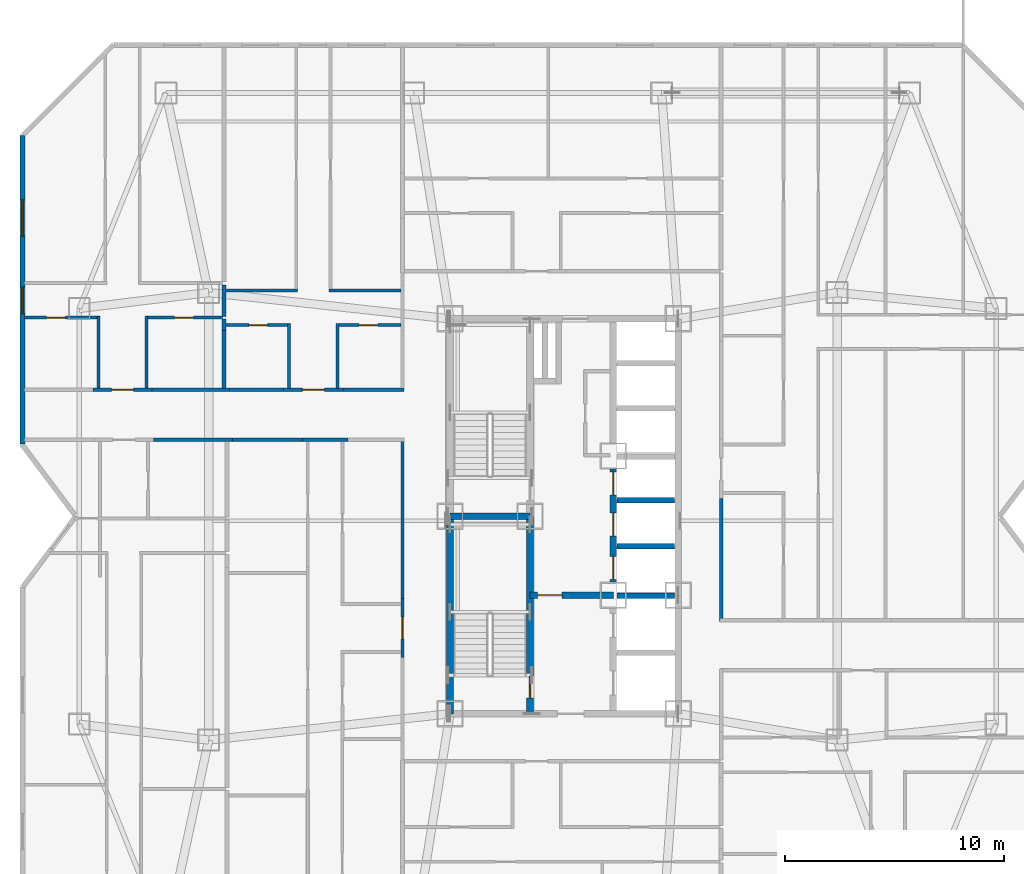
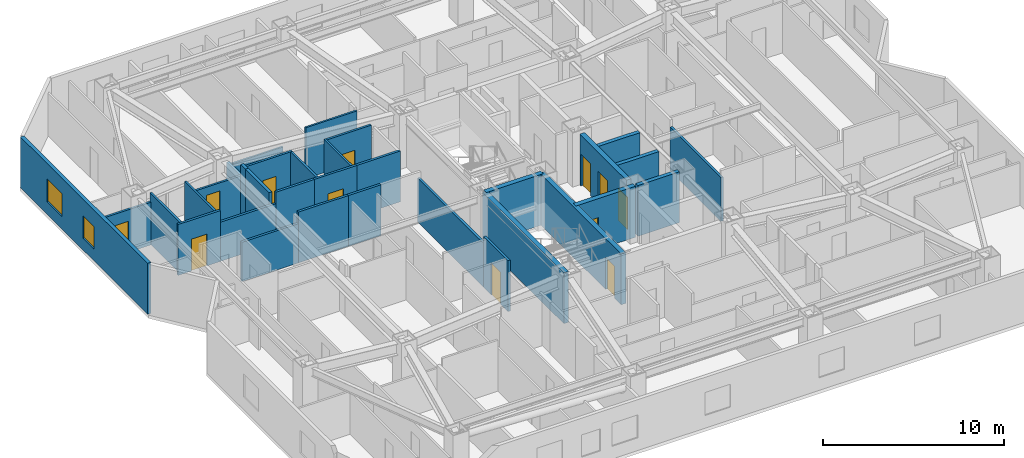
# One storey, part 7 of 11: 33 walls, 12 doors, 2 windows, 14 openings.
"""IFC4 building model written with IfcOpenShell, lengths in metres."""

from ifc_helpers import new_model, si_unit, direction, frame, frame_2d, origin, place, context, subcontext, project, spatial, rectangle, extrude, material, layer, layer_set, type_object, element, fill, save


model = new_model("IFC4")

# Units and contexts
model_context = context("Model", 3, precision=1e-05, world=origin(), true_north=direction((0.0, 1.0)))
body_context = subcontext(model_context, "Body", "Model", "MODEL_VIEW")
ifc_project = project(units=[si_unit("LENGTHUNIT", "METRE"), si_unit("AREAUNIT", "SQUARE_METRE"), si_unit("VOLUMEUNIT", "CUBIC_METRE"), si_unit("PLANEANGLEUNIT", "RADIAN"), si_unit("MASSUNIT", "GRAM", prefix="KILO")], contexts=[model_context])

# Site, building, storey
site_placement = place(None, origin())
site = spatial("IfcSite", under=ifc_project, at=site_placement, CompositionType="ELEMENT")
building_placement = place(site_placement, origin())
building = spatial("IfcBuilding", under=site, at=building_placement, Name="Khamvora Tower", CompositionType="ELEMENT")
storey_placement = place(building_placement, frame((0.0, 0.0, 116.5)))
storey = spatial("IfcBuildingStorey", under=building, at=storey_placement, Name="L29", CompositionType="ELEMENT", Elevation=116.5)

# Wall
ifc_material_1 = material(Name="Concrete C50/60", Category="concrete")
ifc_layer_1 = layer(ifc_material_1, 0.300048828125)
ifc_layer_set_1 = layer_set([ifc_layer_1], Name="Concrete C50/60")
wall_type_1 = type_object("IfcWallType", Name="WAL-CORE-300", PredefinedType="SHEAR", material=ifc_layer_set_1)
wall_1_placement = place(storey_placement, frame((29.0, 19.0, 0.0), z_axis=(0.0, 0.0, 1.0), x_axis=(0.0, 1.0, 0.0)))
element("IfcWall", 1, at=wall_1_placement, inside=storey, type_object=wall_type_1, Name="L29 central core west south wall", PredefinedType="SHEAR", context=body_context, shape_type="SweptSolid", body=[
    extrude(rectangle(XDim=9.0, YDim=0.300048828125, at=frame_2d((4.5, 0.0))), origin(), (0.0, 0.0, 1.0), 3.429931640625),
])

# Wall, opening, door
wall_2_placement = place(storey_placement, frame((32.64990234375, 19.0, 0.0), z_axis=(0.0, 0.0, 1.0), x_axis=(0.0, 1.0, 0.0)))
wall_2 = element("IfcWall", 2, at=wall_2_placement, inside=storey, type_object=wall_type_1, Name="L29 central core stair south spine wall", PredefinedType="SHEAR", context=body_context, shape_type="SweptSolid", body=[
    extrude(rectangle(XDim=9.0, YDim=0.300048828125, at=frame_2d((4.5, 0.0))), origin(), (0.0, 0.0, 1.0), 3.429931640625),
])
opening_1_placement = place(wall_2_placement, frame((0.719970703125, 0.0, 0.0)))
opening_1 = element("IfcOpeningElement", 3, at=opening_1_placement, cuts=wall_2, Name="Opening D-ST1", PredefinedType="OPENING", context=body_context, shape_type="SweptSolid", body=[
    extrude(rectangle(XDim=1.0, YDim=2.14990234375, at=frame_2d((0.5, 1.074951171875))), frame((0.0, 0.159912109375, 0.0), z_axis=(0.0, -1.0, 0.0), x_axis=(1.0, 0.0, 0.0)), (0.0, 0.0, 1.0), 0.320068359375),
])
ifc_material_2 = material(Name="Powder-Coated Steel and Hardwood Leaf", Category="steel")
door_type_1 = type_object("IfcDoorType", Name="DOR-STAIR-1000", OperationType="NOTDEFINED", PredefinedType="DOOR", material=ifc_material_2)
door_1_placement = place(opening_1_placement, origin())
door_1 = element("IfcDoor", 4, at=door_1_placement, inside=storey, type_object=door_type_1, Name="L29 exit stair ST-01 fire door", OperationType="SINGLE_SWING_RIGHT", OverallHeight=2.14990234375, OverallWidth=1.0, PredefinedType="DOOR", context=body_context, shape_type="SweptSolid", body=[
    extrude(rectangle(XDim=1.0, YDim=2.14990234375, at=frame_2d((0.5, 1.074951171875))), frame((0.0, 0.02490234375, 0.0), z_axis=(0.0, -1.0, 0.0), x_axis=(1.0, 0.0, 0.0)), (0.0, 0.0, 1.0), 0.050048828125),
])
fill(opening_1, door_1)

# Wall
wall_3_placement = place(storey_placement, frame((29.0, 28.0, 0.0), z_axis=(0.0, 0.0, 1.0), x_axis=(1.0, 0.0, 0.0)))
element("IfcWall", 5, at=wall_3_placement, inside=storey, type_object=wall_type_1, Name="L29 central core stair cross wall", PredefinedType="SHEAR", context=body_context, shape_type="SweptSolid", body=[
    extrude(rectangle(XDim=3.64990234375, YDim=0.300048828125, at=frame_2d((1.824951171875, 0.0))), origin(), (0.0, 0.0, 1.0), 3.429931640625),
])

# Wall, opening, door
wall_4_placement = place(storey_placement, frame((32.64990234375, 24.39990234375, 0.0), z_axis=(0.0, 0.0, 1.0), x_axis=(1.0, 0.0, 0.0)))
wall_4 = element("IfcWall", 6, at=wall_4_placement, inside=storey, type_object=wall_type_1, Name="L29 central core firefighting lobby north wall", PredefinedType="SHEAR", context=body_context, shape_type="SweptSolid", body=[
    extrude(rectangle(XDim=3.800048828125, YDim=0.300048828125, at=frame_2d((1.89990234375, 0.0))), origin(), (0.0, 0.0, 1.0), 3.429931640625),
])
opening_2_placement = place(wall_4_placement, frame((0.35009765625, 0.0, 0.0)))
opening_2 = element("IfcOpeningElement", 7, at=opening_2_placement, cuts=wall_4, Name="Opening D-FF1", PredefinedType="OPENING", context=body_context, shape_type="SweptSolid", body=[
    extrude(rectangle(XDim=1.10009765625, YDim=2.14990234375, at=frame_2d((0.550048828125, 1.074951171875))), frame((0.0, 0.159912109375, 0.0), z_axis=(0.0, -1.0, 0.0), x_axis=(1.0, 0.0, 0.0)), (0.0, 0.0, 1.0), 0.320068359375),
])
door_type_2 = type_object("IfcDoorType", Name="DOR-FFLOB-1100", OperationType="NOTDEFINED", PredefinedType="DOOR", material=ifc_material_2)
door_2_placement = place(opening_2_placement, origin())
door_2 = element("IfcDoor", 8, at=door_2_placement, inside=storey, type_object=door_type_2, Name="L29 firefighting lobby smoke-seal fire door", OperationType="SINGLE_SWING_RIGHT", OverallHeight=2.14990234375, OverallWidth=1.10009765625, PredefinedType="DOOR", context=body_context, shape_type="SweptSolid", body=[
    extrude(rectangle(XDim=1.10009765625, YDim=2.14990234375, at=frame_2d((0.550048828125, 1.074951171875))), frame((0.0, 0.02490234375, 0.0), z_axis=(0.0, -1.0, 0.0), x_axis=(1.0, 0.0, 0.0)), (0.0, 0.0, 1.0), 0.050048828125),
])
fill(opening_2, door_2)

# Wall, openings, doors
wall_5_placement = place(storey_placement, frame((36.449951171875, 25.0, 0.0), z_axis=(0.0, 0.0, 1.0), x_axis=(0.0, 1.0, 0.0)))
wall_5 = element("IfcWall", 9, at=wall_5_placement, inside=storey, type_object=wall_type_1, Name="L29 central core lift bank central wall", PredefinedType="SHEAR", context=body_context, shape_type="SweptSolid", body=[
    extrude(rectangle(XDim=5.14990234375, YDim=0.300048828125, at=frame_2d((2.574951171875, 0.0))), origin(), (0.0, 0.0, 1.0), 3.429931640625),
])
opening_3_placement = place(wall_5_placement, frame((0.1201171875, 0.0, 0.0)))
opening_3 = element("IfcOpeningElement", 10, at=opening_3_placement, cuts=wall_5, Name="Opening LD-PL", PredefinedType="OPENING", context=body_context, shape_type="SweptSolid", body=[
    extrude(rectangle(XDim=1.050048828125, YDim=2.14990234375, at=frame_2d((0.52490234375, 1.074951171875))), frame((0.0, 0.159912109375, 0.0), z_axis=(0.0, -1.0, 0.0), x_axis=(1.0, 0.0, 0.0)), (0.0, 0.0, 1.0), 0.320068359375),
])
opening_4_placement = place(wall_5_placement, frame((2.094970703125, 0.0, 0.0)))
opening_4 = element("IfcOpeningElement", 11, at=opening_4_placement, cuts=wall_5, Name="Opening LD-PL", PredefinedType="OPENING", context=body_context, shape_type="SweptSolid", body=[
    extrude(rectangle(XDim=1.050048828125, YDim=2.14990234375, at=frame_2d((0.52490234375, 1.074951171875))), frame((0.0, 0.159912109375, 0.0), z_axis=(0.0, -1.0, 0.0), x_axis=(1.0, 0.0, 0.0)), (0.0, 0.0, 1.0), 0.320068359375),
])
opening_5_placement = place(wall_5_placement, frame((3.97998046875, 0.0, 0.0)))
opening_5 = element("IfcOpeningElement", 12, at=opening_5_placement, cuts=wall_5, Name="Opening LD-PL", PredefinedType="OPENING", context=body_context, shape_type="SweptSolid", body=[
    extrude(rectangle(XDim=1.050048828125, YDim=2.14990234375, at=frame_2d((0.52490234375, 1.074951171875))), frame((0.0, 0.159912109375, 0.0), z_axis=(0.0, -1.0, 0.0), x_axis=(1.0, 0.0, 0.0)), (0.0, 0.0, 1.0), 0.320068359375),
])
door_type_3 = type_object("IfcDoorType", Name="DOR-LIFT-1050", OperationType="SLIDING_TO_LEFT", PredefinedType="DOOR", material=ifc_material_2)
door_3_placement = place(opening_3_placement, origin())
door_3 = element("IfcDoor", 13, at=door_3_placement, inside=storey, type_object=door_type_3, Name="L29 lift landing sliding door PL-01", OperationType="SLIDING_TO_LEFT", OverallHeight=2.14990234375, OverallWidth=1.050048828125, PredefinedType="DOOR", context=body_context, shape_type="SweptSolid", body=[
    extrude(rectangle(XDim=1.050048828125, YDim=2.14990234375, at=frame_2d((0.52490234375, 1.074951171875))), frame((0.0, 0.02490234375, 0.0), z_axis=(0.0, -1.0, 0.0), x_axis=(1.0, 0.0, 0.0)), (0.0, 0.0, 1.0), 0.050048828125),
])
fill(opening_3, door_3)
door_4_placement = place(opening_4_placement, origin())
door_4 = element("IfcDoor", 14, at=door_4_placement, inside=storey, type_object=door_type_3, Name="L29 lift landing sliding door PL-02", OperationType="SLIDING_TO_LEFT", OverallHeight=2.14990234375, OverallWidth=1.050048828125, PredefinedType="DOOR", context=body_context, shape_type="SweptSolid", body=[
    extrude(rectangle(XDim=1.050048828125, YDim=2.14990234375, at=frame_2d((0.52490234375, 1.074951171875))), frame((0.0, 0.02490234375, 0.0), z_axis=(0.0, -1.0, 0.0), x_axis=(1.0, 0.0, 0.0)), (0.0, 0.0, 1.0), 0.050048828125),
])
fill(opening_4, door_4)
door_5_placement = place(opening_5_placement, origin())
door_5 = element("IfcDoor", 15, at=door_5_placement, inside=storey, type_object=door_type_3, Name="L29 lift landing sliding door PL-03", OperationType="SLIDING_TO_LEFT", OverallHeight=2.14990234375, OverallWidth=1.050048828125, PredefinedType="DOOR", context=body_context, shape_type="SweptSolid", body=[
    extrude(rectangle(XDim=1.050048828125, YDim=2.14990234375, at=frame_2d((0.52490234375, 1.074951171875))), frame((0.0, 0.02490234375, 0.0), z_axis=(0.0, -1.0, 0.0), x_axis=(1.0, 0.0, 0.0)), (0.0, 0.0, 1.0), 0.050048828125),
])
fill(opening_5, door_5)

# Wall
ifc_material_3 = material(Name="Fire-Rated Drywall and Steel Stud", Category="steel")
ifc_layer_2 = layer(ifc_material_3, 0.14990234375)
ifc_layer_set_2 = layer_set([ifc_layer_2], Name="Fire-Rated Drywall and Steel Stud")
wall_type_2 = type_object("IfcWallType", Name="WAL-CORR-150", PredefinedType="STANDARD", material=ifc_layer_set_2)
wall_6_placement = place(storey_placement, frame((19.080078125, 31.485107421875, 0.0), z_axis=(0.0, 0.0, 1.0), x_axis=(-1.0, 0.0, 0.0)))
element("IfcWall", 16, at=wall_6_placement, inside=storey, type_object=wall_type_2, Name="L29 interior partition wall 006", PredefinedType="STANDARD", context=body_context, shape_type="SweptSolid", body=[
    extrude(rectangle(XDim=3.593017578125, YDim=0.14990234375, at=frame_2d((1.79638671875, 0.0))), origin(), (0.0, 0.0, 1.0), 2.64697265625),
])

# Wall, opening, door
wall_7_placement = place(storey_placement, frame((26.8349609375, 21.56005859375, 0.0), z_axis=(0.0, 0.0, 1.0), x_axis=(0.0, 1.0, 0.0)))
wall_7 = element("IfcWall", 17, at=wall_7_placement, inside=storey, type_object=wall_type_2, Name="L29 interior partition wall 008", PredefinedType="STANDARD", context=body_context, shape_type="SweptSolid", body=[
    extrude(rectangle(XDim=2.697998046875, YDim=0.14990234375, at=frame_2d((1.34912109375, 0.0))), origin(), (0.0, 0.0, 1.0), 3.429931640625),
])
opening_6_placement = place(wall_7_placement, frame((0.84912109375, 0.0, 0.0)))
opening_6 = element("IfcOpeningElement", 18, at=opening_6_placement, cuts=wall_7, Name="Opening D-U1", PredefinedType="OPENING", context=body_context, shape_type="SweptSolid", body=[
    extrude(rectangle(XDim=1.0, YDim=2.14990234375, at=frame_2d((0.5, 1.074951171875))), frame((0.0, 0.0849609375, 0.0), z_axis=(0.0, -1.0, 0.0), x_axis=(1.0, 0.0, 0.0)), (0.0, 0.0, 1.0), 0.169921875),
])
door_type_4 = type_object("IfcDoorType", Name="DOR-UNIT-1000", OperationType="NOTDEFINED", PredefinedType="DOOR", material=ifc_material_2)
door_6_placement = place(opening_6_placement, origin())
door_6 = element("IfcDoor", 19, at=door_6_placement, inside=storey, type_object=door_type_4, Name="L29 interior door COR-29WA2H", OperationType="SINGLE_SWING_LEFT", OverallHeight=2.14990234375, OverallWidth=1.0, PredefinedType="DOOR", context=body_context, shape_type="SweptSolid", body=[
    extrude(rectangle(XDim=1.0, YDim=2.14990234375, at=frame_2d((0.5, 1.074951171875))), frame((0.0, 0.02490234375, 0.0), z_axis=(0.0, -1.0, 0.0), x_axis=(1.0, 0.0, 0.0)), (0.0, 0.0, 1.0), 0.050048828125),
])
fill(opening_6, door_6)

# Walls
wall_8_placement = place(storey_placement, frame((24.346923828125, 31.485107421875, 0.0), z_axis=(0.0, 0.0, 1.0), x_axis=(-1.0, 0.0, 0.0)))
element("IfcWall", 20, at=wall_8_placement, inside=storey, type_object=wall_type_2, Name="L29 interior partition wall 009", PredefinedType="STANDARD", context=body_context, shape_type="SweptSolid", body=[
    extrude(rectangle(XDim=2.078857421875, YDim=0.14990234375, at=frame_2d((1.03955078125, 0.0))), origin(), (0.0, 0.0, 1.0), 3.429931640625),
])
wall_9_placement = place(storey_placement, frame((26.8349609375, 24.258056640625, 0.0), z_axis=(0.0, 0.0, 1.0), x_axis=(0.0, 1.0, 0.0)))
element("IfcWall", 21, at=wall_9_placement, inside=storey, type_object=wall_type_2, Name="L29 interior partition wall 011", PredefinedType="STANDARD", context=body_context, shape_type="SweptSolid", body=[
    extrude(rectangle(XDim=7.2919921875, YDim=0.14990234375, at=frame_2d((3.64599609375, 0.0))), origin(), (0.0, 0.0, 1.0), 2.9609375),
])
wall_10_placement = place(storey_placement, frame((22.26806640625, 31.485107421875, 0.0), z_axis=(0.0, 0.0, 1.0), x_axis=(-1.0, 0.0, 0.0)))
element("IfcWall", 22, at=wall_10_placement, inside=storey, type_object=wall_type_2, Name="L29 interior partition wall 013", PredefinedType="STANDARD", context=body_context, shape_type="SweptSolid", body=[
    extrude(rectangle(XDim=3.18798828125, YDim=0.14990234375, at=frame_2d((1.593994140625, 0.0))), origin(), (0.0, 0.0, 1.0), 3.429931640625),
])

# Wall, opening, door
wall_11_placement = place(storey_placement, frame((12.72607421875, 33.764892578125, 0.0), z_axis=(0.0, 0.0, 1.0), x_axis=(1.0, 0.0, 0.0)))
wall_11 = element("IfcWall", 23, at=wall_11_placement, inside=storey, type_object=wall_type_2, Name="L29 interior partition wall 014", PredefinedType="STANDARD", context=body_context, shape_type="SweptSolid", body=[
    extrude(rectangle(XDim=2.697998046875, YDim=0.14990234375, at=frame_2d((1.34912109375, 0.0))), origin(), (0.0, 0.0, 1.0), 3.429931640625),
])
opening_7_placement = place(wall_11_placement, frame((0.84912109375, 0.0, 0.0)))
opening_7 = element("IfcOpeningElement", 24, at=opening_7_placement, cuts=wall_11, Name="Opening D-U1", PredefinedType="OPENING", context=body_context, shape_type="SweptSolid", body=[
    extrude(rectangle(XDim=1.0, YDim=2.14990234375, at=frame_2d((0.5, 1.074951171875))), frame((0.0, 0.0849609375, 0.0), z_axis=(0.0, -1.0, 0.0), x_axis=(1.0, 0.0, 0.0)), (0.0, 0.0, 1.0), 0.169921875),
])
door_7_placement = place(opening_7_placement, origin())
door_7 = element("IfcDoor", 25, at=door_7_placement, inside=storey, type_object=door_type_4, Name="L29 interior door COR-29WBH", OperationType="SINGLE_SWING_RIGHT", OverallHeight=2.14990234375, OverallWidth=1.0, PredefinedType="DOOR", context=body_context, shape_type="SweptSolid", body=[
    extrude(rectangle(XDim=1.0, YDim=2.14990234375, at=frame_2d((0.5, 1.074951171875))), frame((0.0, 0.02490234375, 0.0), z_axis=(0.0, -1.0, 0.0), x_axis=(1.0, 0.0, 0.0)), (0.0, 0.0, 1.0), 0.050048828125),
])
fill(opening_7, door_7)

# Wall
wall_12_placement = place(storey_placement, frame((15.424072265625, 33.764892578125, 0.0), z_axis=(0.0, 0.0, 1.0), x_axis=(1.0, 0.0, 0.0)))
element("IfcWall", 26, at=wall_12_placement, inside=storey, type_object=wall_type_2, Name="L29 interior partition wall 016", PredefinedType="STANDARD", context=body_context, shape_type="SweptSolid", body=[
    extrude(rectangle(XDim=3.530029296875, YDim=0.14990234375, at=frame_2d((1.76513671875, 0.0))), origin(), (0.0, 0.0, 1.0), 2.64697265625),
])

# Wall, opening, door
wall_13_placement = place(storey_placement, frame((21.4208984375, 33.764892578125, 0.0), z_axis=(0.0, 0.0, 1.0), x_axis=(1.0, 0.0, 0.0)))
wall_13 = element("IfcWall", 27, at=wall_13_placement, inside=storey, type_object=wall_type_2, Name="L29 interior partition wall 018", PredefinedType="STANDARD", context=body_context, shape_type="SweptSolid", body=[
    extrude(rectangle(XDim=2.697998046875, YDim=0.14990234375, at=frame_2d((1.34912109375, 0.0))), origin(), (0.0, 0.0, 1.0), 3.429931640625),
])
opening_8_placement = place(wall_13_placement, frame((0.84912109375, 0.0, 0.0)))
opening_8 = element("IfcOpeningElement", 28, at=opening_8_placement, cuts=wall_13, Name="Opening D-U1", PredefinedType="OPENING", context=body_context, shape_type="SweptSolid", body=[
    extrude(rectangle(XDim=1.0, YDim=2.14990234375, at=frame_2d((0.5, 1.074951171875))), frame((0.0, 0.0849609375, 0.0), z_axis=(0.0, -1.0, 0.0), x_axis=(1.0, 0.0, 0.0)), (0.0, 0.0, 1.0), 0.169921875),
])
door_8_placement = place(opening_8_placement, origin())
door_8 = element("IfcDoor", 29, at=door_8_placement, inside=storey, type_object=door_type_4, Name="L29 interior door COR-29WCH", OperationType="SINGLE_SWING_LEFT", OverallHeight=2.14990234375, OverallWidth=1.0, PredefinedType="DOOR", context=body_context, shape_type="SweptSolid", body=[
    extrude(rectangle(XDim=1.0, YDim=2.14990234375, at=frame_2d((0.5, 1.074951171875))), frame((0.0, 0.02490234375, 0.0), z_axis=(0.0, -1.0, 0.0), x_axis=(1.0, 0.0, 0.0)), (0.0, 0.0, 1.0), 0.050048828125),
])
fill(opening_8, door_8)

# Walls
wall_14_placement = place(storey_placement, frame((18.9541015625, 33.764892578125, 0.0), z_axis=(0.0, 0.0, 1.0), x_axis=(1.0, 0.0, 0.0)))
element("IfcWall", 30, at=wall_14_placement, inside=storey, type_object=wall_type_2, Name="L29 interior partition wall 019", PredefinedType="STANDARD", context=body_context, shape_type="SweptSolid", body=[
    extrude(rectangle(XDim=2.466796875, YDim=0.14990234375, at=frame_2d((1.2333984375, 0.0))), origin(), (0.0, 0.0, 1.0), 3.429931640625),
])
wall_15_placement = place(storey_placement, frame((24.118896484375, 33.764892578125, 0.0), z_axis=(0.0, 0.0, 1.0), x_axis=(1.0, 0.0, 0.0)))
element("IfcWall", 31, at=wall_15_placement, inside=storey, type_object=wall_type_2, Name="L29 interior partition wall 021", PredefinedType="STANDARD", context=body_context, shape_type="SweptSolid", body=[
    extrude(rectangle(XDim=2.779052734375, YDim=0.14990234375, at=frame_2d((1.3896484375, 0.0))), origin(), (0.0, 0.0, 1.0), 3.429931640625),
])
wall_16_placement = place(storey_placement, frame((41.364990234375, 28.81689453125, 0.0), z_axis=(0.0, 0.0, 1.0), x_axis=(0.0, -1.0, 0.0)))
element("IfcWall", 32, at=wall_16_placement, inside=storey, type_object=wall_type_2, Name="L29 interior partition wall 038", PredefinedType="STANDARD", context=body_context, shape_type="SweptSolid", body=[
    extrude(rectangle(XDim=5.616943359375, YDim=0.14990234375, at=frame_2d((2.80859375, 0.0))), origin(), (0.0, 0.0, 1.0), 2.9609375),
])
ifc_material_4 = material(Name="Acoustic Double-Stud Fire Wall", Category="gypsum")
ifc_layer_3 = layer(ifc_material_4, 0.179931640625)
ifc_layer_set_3 = layer_set([ifc_layer_3], Name="Acoustic Double-Stud Fire Wall")
wall_type_3 = type_object("IfcWallType", Name="WAL-CORR-180", PredefinedType="STANDARD", material=ifc_layer_set_3)
wall_17_placement = place(storey_placement, frame((18.705078125, 38.54296875, 0.0), z_axis=(0.0, 0.0, 1.0), x_axis=(0.0, -1.0, 0.0)))
element("IfcWall", 33, at=wall_17_placement, inside=storey, type_object=wall_type_3, Name="L29 interior partition wall 082", PredefinedType="STANDARD", context=body_context, shape_type="SweptSolid", body=[
    extrude(rectangle(XDim=1.424072265625, YDim=0.179931640625, at=frame_2d((0.7119140625, 0.0))), origin(), (0.0, 0.0, 1.0), 2.64697265625),
])
wall_18_placement = place(storey_placement, frame((18.705078125, 36.989013671875, 0.0), z_axis=(0.0, 0.0, 1.0), x_axis=(0.0, -1.0, 0.0)))
element("IfcWall", 34, at=wall_18_placement, inside=storey, type_object=wall_type_3, Name="L29 interior partition wall 083", PredefinedType="STANDARD", context=body_context, shape_type="SweptSolid", body=[
    extrude(rectangle(XDim=0.52392578125, YDim=0.179931640625, at=frame_2d((0.261962890625, 0.0))), origin(), (0.0, 0.0, 1.0), 3.429931640625),
])
wall_19_placement = place(storey_placement, frame((18.705078125, 36.465087890625, 0.0), z_axis=(0.0, 0.0, 1.0), x_axis=(0.0, -1.0, 0.0)))
element("IfcWall", 35, at=wall_19_placement, inside=storey, type_object=wall_type_3, Name="L29 interior partition wall 084", PredefinedType="STANDARD", context=body_context, shape_type="SweptSolid", body=[
    extrude(rectangle(XDim=2.633056640625, YDim=0.179931640625, at=frame_2d((1.31640625, 0.0))), origin(), (0.0, 0.0, 1.0), 3.429931640625),
])

# Wall, openings, windows
ifc_material_5 = material(Name="Precast concrete C40/50", Category="concrete")
ifc_layer_4 = layer(ifc_material_5, 0.219970703125)
ifc_layer_set_4 = layer_set([ifc_layer_4], Name="Precast concrete C40/50")
wall_type_4 = type_object("IfcWallType", Name="WAL-EXT-220", PredefinedType="STANDARD", material=ifc_layer_set_4)
wall_20_placement = place(storey_placement, frame((9.510009765625, 31.29296875, 0.0), z_axis=(0.0, 0.0, 1.0), x_axis=(0.0, 1.0, 0.0)))
wall_20 = element("IfcWall", 36, at=wall_20_placement, inside=storey, type_object=wall_type_4, Name="L29 exterior facade wall 05.1", PredefinedType="STANDARD", context=body_context, shape_type="SweptSolid", body=[
    extrude(rectangle(XDim=14.06103515625, YDim=0.219970703125, at=frame_2d((7.030517578125, 0.0))), origin(), (0.0, 0.0, 1.0), 3.429931640625),
])
opening_9_placement = place(wall_20_placement, frame((5.950927734375, 0.0, 0.800048828125)))
opening_9 = element("IfcOpeningElement", 37, at=opening_9_placement, cuts=wall_20, Name="Opening WN-03", PredefinedType="OPENING", context=body_context, shape_type="SweptSolid", body=[
    extrude(rectangle(XDim=1.199951171875, YDim=1.5, at=frame_2d((0.60009765625, 0.75))), frame((0.0, 0.119873046875, 0.0), z_axis=(0.0, -1.0, 0.0), x_axis=(1.0, 0.0, 0.0)), (0.0, 0.0, 1.0), 0.239990234375),
])
opening_10_placement = place(wall_20_placement, frame((9.48291015625, 0.0, 0.85009765625)))
opening_10 = element("IfcOpeningElement", 38, at=opening_10_placement, cuts=wall_20, Name="Opening WN-06", PredefinedType="OPENING", context=body_context, shape_type="SweptSolid", body=[
    extrude(rectangle(XDim=1.64990234375, YDim=1.550048828125, at=frame_2d((0.824951171875, 0.77490234375))), frame((0.0, 0.119873046875, 0.0), z_axis=(0.0, -1.0, 0.0), x_axis=(1.0, 0.0, 0.0)), (0.0, 0.0, 1.0), 0.239990234375),
])
ifc_material_6 = material(Name="Low-E Laminated Double Glazing", Category="glass")
window_type_1 = type_object("IfcWindowType", Name="WIN-VIS-1200x1500", PartitioningType="SINGLE_PANEL", PredefinedType="WINDOW", material=ifc_material_6)
window_1_placement = place(opening_9_placement, origin())
window_1 = element("IfcWindow", 39, at=window_1_placement, inside=storey, type_object=window_type_1, Name="L29 vision window 05.1.01", OverallHeight=1.5, OverallWidth=1.199951171875, PartitioningType="SINGLE_PANEL", PredefinedType="WINDOW", context=body_context, shape_type="SweptSolid", body=[
    extrude(rectangle(XDim=1.199951171875, YDim=1.5, at=frame_2d((0.60009765625, 0.75))), frame((0.0, 0.030029296875, 0.0), z_axis=(0.0, -1.0, 0.0), x_axis=(1.0, 0.0, 0.0)), (0.0, 0.0, 1.0), 0.06005859375),
])
fill(opening_9, window_1)
window_type_2 = type_object("IfcWindowType", Name="WIN-VIS-1650x1550", PartitioningType="SINGLE_PANEL", PredefinedType="WINDOW", material=ifc_material_6)
window_2_placement = place(opening_10_placement, origin())
window_2 = element("IfcWindow", 40, at=window_2_placement, inside=storey, type_object=window_type_2, Name="L29 vision window 05.1.02", OverallHeight=1.550048828125, OverallWidth=1.64990234375, PartitioningType="SINGLE_PANEL", PredefinedType="WINDOW", context=body_context, shape_type="SweptSolid", body=[
    extrude(rectangle(XDim=1.64990234375, YDim=1.550048828125, at=frame_2d((0.824951171875, 0.77490234375))), frame((0.0, 0.030029296875, 0.0), z_axis=(0.0, -1.0, 0.0), x_axis=(1.0, 0.0, 0.0)), (0.0, 0.0, 1.0), 0.06005859375),
])
fill(opening_10, window_2)

# Walls
ifc_material_7 = material(Name="Gypsum Plasterboard Partition", Category="gypsum")
ifc_layer_5 = layer(ifc_material_7, 0.1201171875)
ifc_layer_set_5 = layer_set([ifc_layer_5], Name="Gypsum Plasterboard Partition")
wall_type_5 = type_object("IfcWallType", Name="WAL-PART-120", PredefinedType="PARTITIONING", material=ifc_layer_set_5)
wall_21_placement = place(storey_placement, frame((18.787109375, 38.2939453125, 0.0), z_axis=(0.0, 0.0, 1.0), x_axis=(1.0, 0.0, 0.0)))
element("IfcWall", 41, at=wall_21_placement, inside=storey, type_object=wall_type_5, Name="L29 interior partition wall 090", PredefinedType="PARTITIONING", context=body_context, shape_type="SweptSolid", body=[
    extrude(rectangle(XDim=3.262939453125, YDim=0.1201171875, at=frame_2d((1.63134765625, 0.0))), origin(), (0.0, 0.0, 1.0), 2.64697265625),
])
wall_22_placement = place(storey_placement, frame((23.489990234375, 38.2939453125, 0.0), z_axis=(0.0, 0.0, 1.0), x_axis=(1.0, 0.0, 0.0)))
element("IfcWall", 42, at=wall_22_placement, inside=storey, type_object=wall_type_5, Name="L29 interior partition wall 093", PredefinedType="PARTITIONING", context=body_context, shape_type="SweptSolid", body=[
    extrude(rectangle(XDim=3.280029296875, YDim=0.1201171875, at=frame_2d((1.64013671875, 0.0))), origin(), (0.0, 0.0, 1.0), 3.429931640625),
])
ifc_material_8 = material(Name="Concrete C40/50", Category="concrete")
ifc_layer_6 = layer(ifc_material_8, 0.25)
ifc_layer_set_6 = layer_set([ifc_layer_6], Name="Concrete C40/50")
wall_type_6 = type_object("IfcWallType", Name="WAL-PODS-250", PredefinedType="SHEAR", material=ifc_layer_set_6)
for number, where, z_axis, x_axis, name in (
    (43, (36.60400390625, 24.375, 0.0), (0.0, 0.0, 1.0), (1.0, 0.0, 0.0), "L29 lift shaft divider wall FFL-02"),
    (44, (36.60400390625, 26.625, 0.0), (0.0, 0.0, 1.0), (1.0, 0.0, 0.0), "L29 lift shaft divider wall PL-01"),
    (45, (36.60400390625, 28.72509765625, 0.0), (0.0, 0.0, 1.0), (1.0, 0.0, 0.0), "L29 lift shaft divider wall PL-02"),
):
    element("IfcWall", number, at=place(storey_placement, frame(where, z_axis=z_axis, x_axis=x_axis)), inside=storey, type_object=wall_type_6, Name=name, PredefinedType="SHEAR", context=body_context, shape_type="SweptSolid", body=[
        extrude(rectangle(XDim=2.64208984375, YDim=0.25, at=frame_2d((1.321044921875, 0.0))), origin(), (0.0, 0.0, 1.0), 3.429931640625),
    ])
ifc_material_9 = material(Name="Moisture-Resistant Plasterboard Partition", Category="gypsum")
ifc_layer_7 = layer(ifc_material_9, 0.135009765625)
ifc_layer_set_7 = layer_set([ifc_layer_7], Name="Moisture-Resistant Plasterboard Partition")
wall_type_7 = type_object("IfcWallType", Name="WAL-WET-135", PredefinedType="PARTITIONING", material=ifc_layer_set_7)
wall_23_placement = place(storey_placement, frame((12.97509765625, 33.83203125, 0.0), z_axis=(0.0, 0.0, 1.0), x_axis=(0.0, 1.0, 0.0)))
element("IfcWall", 46, at=wall_23_placement, inside=storey, type_object=wall_type_7, Name="L29 interior partition wall 074", PredefinedType="PARTITIONING", context=body_context, shape_type="SweptSolid", body=[
    extrude(rectangle(XDim=3.286865234375, YDim=0.135009765625, at=frame_2d((1.6435546875, 0.0))), origin(), (0.0, 0.0, 1.0), 3.429931640625),
])

# Wall, opening, door
wall_24_placement = place(storey_placement, frame((13.0400390625, 37.053955078125, 0.0), z_axis=(0.0, 0.0, 1.0), x_axis=(-1.0, 0.0, 0.0)))
wall_24 = element("IfcWall", 47, at=wall_24_placement, inside=storey, type_object=wall_type_7, Name="L29 interior partition wall 075", PredefinedType="PARTITIONING", context=body_context, shape_type="SweptSolid", body=[
    extrude(rectangle(XDim=3.427978515625, YDim=0.135009765625, at=frame_2d((1.7138671875, 0.0))), origin(), (0.0, 0.0, 1.0), 2.8759765625),
])
opening_11_placement = place(wall_24_placement, frame((1.572021484375, 0.0, 0.0)))
opening_11 = element("IfcOpeningElement", 48, at=opening_11_placement, cuts=wall_24, Name="Opening D-WC1", PredefinedType="OPENING", context=body_context, shape_type="SweptSolid", body=[
    extrude(rectangle(XDim=0.85009765625, YDim=2.10009765625, at=frame_2d((0.425048828125, 1.050048828125))), frame((0.0, 0.077392578125, 0.0), z_axis=(0.0, -1.0, 0.0), x_axis=(1.0, 0.0, 0.0)), (0.0, 0.0, 1.0), 0.155029296875),
])
door_type_5 = type_object("IfcDoorType", Name="DOR-WET-850", OperationType="NOTDEFINED", PredefinedType="DOOR", material=ifc_material_2)
door_9_placement = place(opening_11_placement, origin())
door_9 = element("IfcDoor", 49, at=door_9_placement, inside=storey, type_object=door_type_5, Name="L29 interior door 29WBH-29WBB", OperationType="SINGLE_SWING_RIGHT", OverallHeight=2.10009765625, OverallWidth=0.85009765625, PredefinedType="DOOR", context=body_context, shape_type="SweptSolid", body=[
    extrude(rectangle(XDim=0.85009765625, YDim=2.10009765625, at=frame_2d((0.425048828125, 1.050048828125))), frame((0.0, 0.02490234375, 0.0), z_axis=(0.0, -1.0, 0.0), x_axis=(1.0, 0.0, 0.0)), (0.0, 0.0, 1.0), 0.050048828125),
])
fill(opening_11, door_9)

wall_25_placement = place(storey_placement, frame((18.639892578125, 37.053955078125, 0.0), z_axis=(0.0, 0.0, 1.0), x_axis=(-1.0, 0.0, 0.0)))
wall_25 = element("IfcWall", 50, at=wall_25_placement, inside=storey, type_object=wall_type_7, Name="L29 interior partition wall 076", PredefinedType="PARTITIONING", context=body_context, shape_type="SweptSolid", body=[
    extrude(rectangle(XDim=3.52978515625, YDim=0.135009765625, at=frame_2d((1.764892578125, 0.0))), origin(), (0.0, 0.0, 1.0), 2.64697265625),
])
opening_12_placement = place(wall_25_placement, frame((1.340087890625, 0.0, 0.0)))
opening_12 = element("IfcOpeningElement", 51, at=opening_12_placement, cuts=wall_25, Name="Opening D-RM2", PredefinedType="OPENING", context=body_context, shape_type="SweptSolid", body=[
    extrude(rectangle(XDim=0.85009765625, YDim=2.10009765625, at=frame_2d((0.425048828125, 1.050048828125))), frame((0.0, 0.077392578125, 0.0), z_axis=(0.0, -1.0, 0.0), x_axis=(1.0, 0.0, 0.0)), (0.0, 0.0, 1.0), 0.155029296875),
])
door_type_6 = type_object("IfcDoorType", Name="DOR-ROOM-850", OperationType="NOTDEFINED", PredefinedType="DOOR", material=ifc_material_2)
door_10_placement = place(opening_12_placement, origin())
door_10 = element("IfcDoor", 52, at=door_10_placement, inside=storey, type_object=door_type_6, Name="L29 interior door 29WBH-29WBK", OperationType="SINGLE_SWING_RIGHT", OverallHeight=2.10009765625, OverallWidth=0.85009765625, PredefinedType="DOOR", context=body_context, shape_type="SweptSolid", body=[
    extrude(rectangle(XDim=0.85009765625, YDim=2.10009765625, at=frame_2d((0.425048828125, 1.050048828125))), frame((0.0, 0.02490234375, 0.0), z_axis=(0.0, -1.0, 0.0), x_axis=(1.0, 0.0, 0.0)), (0.0, 0.0, 1.0), 0.050048828125),
])
fill(opening_12, door_10)

# Walls
wall_26_placement = place(storey_placement, frame((15.175048828125, 37.118896484375, 0.0), z_axis=(0.0, 0.0, 1.0), x_axis=(0.0, -1.0, 0.0)))
element("IfcWall", 53, at=wall_26_placement, inside=storey, type_object=wall_type_7, Name="L29 interior partition wall 077", PredefinedType="PARTITIONING", context=body_context, shape_type="SweptSolid", body=[
    extrude(rectangle(XDim=3.286865234375, YDim=0.135009765625, at=frame_2d((1.6435546875, 0.0))), origin(), (0.0, 0.0, 1.0), 3.429931640625),
])
wall_27_placement = place(storey_placement, frame((21.669921875, 33.83203125, 0.0), z_axis=(0.0, 0.0, 1.0), x_axis=(0.0, 1.0, 0.0)))
element("IfcWall", 54, at=wall_27_placement, inside=storey, type_object=wall_type_7, Name="L29 interior partition wall 086", PredefinedType="PARTITIONING", context=body_context, shape_type="SweptSolid", body=[
    extrude(rectangle(XDim=2.947021484375, YDim=0.135009765625, at=frame_2d((1.4736328125, 0.0))), origin(), (0.0, 0.0, 1.0), 3.429931640625),
])

# Wall, opening, door
wall_28_placement = place(storey_placement, frame((21.735107421875, 36.714111328125, 0.0), z_axis=(0.0, 0.0, 1.0), x_axis=(-1.0, 0.0, 0.0)))
wall_28 = element("IfcWall", 55, at=wall_28_placement, inside=storey, type_object=wall_type_7, Name="L29 interior partition wall 087", PredefinedType="PARTITIONING", context=body_context, shape_type="SweptSolid", body=[
    extrude(rectangle(XDim=2.947998046875, YDim=0.135009765625, at=frame_2d((1.47412109375, 0.0))), origin(), (0.0, 0.0, 1.0), 3.429931640625),
])
opening_13_placement = place(wall_28_placement, frame((1.049072265625, 0.0, 0.0)))
opening_13 = element("IfcOpeningElement", 56, at=opening_13_placement, cuts=wall_28, Name="Opening D-WC1", PredefinedType="OPENING", context=body_context, shape_type="SweptSolid", body=[
    extrude(rectangle(XDim=0.85009765625, YDim=2.10009765625, at=frame_2d((0.425048828125, 1.050048828125))), frame((0.0, 0.077392578125, 0.0), z_axis=(0.0, -1.0, 0.0), x_axis=(1.0, 0.0, 0.0)), (0.0, 0.0, 1.0), 0.155029296875),
])
door_11_placement = place(opening_13_placement, origin())
door_11 = element("IfcDoor", 57, at=door_11_placement, inside=storey, type_object=door_type_5, Name="L29 interior door 29WCH-29WCB", OperationType="SINGLE_SWING_RIGHT", OverallHeight=2.10009765625, OverallWidth=0.85009765625, PredefinedType="DOOR", context=body_context, shape_type="SweptSolid", body=[
    extrude(rectangle(XDim=0.85009765625, YDim=2.10009765625, at=frame_2d((0.425048828125, 1.050048828125))), frame((0.0, 0.02490234375, 0.0), z_axis=(0.0, -1.0, 0.0), x_axis=(1.0, 0.0, 0.0)), (0.0, 0.0, 1.0), 0.050048828125),
])
fill(opening_13, door_11)

wall_29_placement = place(storey_placement, frame((26.77001953125, 36.714111328125, 0.0), z_axis=(0.0, 0.0, 1.0), x_axis=(-1.0, 0.0, 0.0)))
wall_29 = element("IfcWall", 58, at=wall_29_placement, inside=storey, type_object=wall_type_7, Name="L29 interior partition wall 088", PredefinedType="PARTITIONING", context=body_context, shape_type="SweptSolid", body=[
    extrude(rectangle(XDim=2.965087890625, YDim=0.135009765625, at=frame_2d((1.482421875, 0.0))), origin(), (0.0, 0.0, 1.0), 3.429931640625),
])
opening_14_placement = place(wall_29_placement, frame((1.056884765625, 0.0, 0.0)))
opening_14 = element("IfcOpeningElement", 59, at=opening_14_placement, cuts=wall_29, Name="Opening D-RM2", PredefinedType="OPENING", context=body_context, shape_type="SweptSolid", body=[
    extrude(rectangle(XDim=0.85009765625, YDim=2.10009765625, at=frame_2d((0.425048828125, 1.050048828125))), frame((0.0, 0.077392578125, 0.0), z_axis=(0.0, -1.0, 0.0), x_axis=(1.0, 0.0, 0.0)), (0.0, 0.0, 1.0), 0.155029296875),
])
door_12_placement = place(opening_14_placement, origin())
door_12 = element("IfcDoor", 60, at=door_12_placement, inside=storey, type_object=door_type_6, Name="L29 interior door 29WCH-29WCK", OperationType="SINGLE_SWING_LEFT", OverallHeight=2.10009765625, OverallWidth=0.85009765625, PredefinedType="DOOR", context=body_context, shape_type="SweptSolid", body=[
    extrude(rectangle(XDim=0.85009765625, YDim=2.10009765625, at=frame_2d((0.425048828125, 1.050048828125))), frame((0.0, 0.02490234375, 0.0), z_axis=(0.0, -1.0, 0.0), x_axis=(1.0, 0.0, 0.0)), (0.0, 0.0, 1.0), 0.050048828125),
])
fill(opening_14, door_12)

# Wall
wall_30_placement = place(storey_placement, frame((23.8701171875, 36.779052734375, 0.0), z_axis=(0.0, 0.0, 1.0), x_axis=(0.0, -1.0, 0.0)))
element("IfcWall", 61, at=wall_30_placement, inside=storey, type_object=wall_type_7, Name="L29 interior partition wall 089", PredefinedType="PARTITIONING", context=body_context, shape_type="SweptSolid", body=[
    extrude(rectangle(XDim=2.947021484375, YDim=0.135009765625, at=frame_2d((1.4736328125, 0.0))), origin(), (0.0, 0.0, 1.0), 3.429931640625),
])

save(model, "model.ifc")
